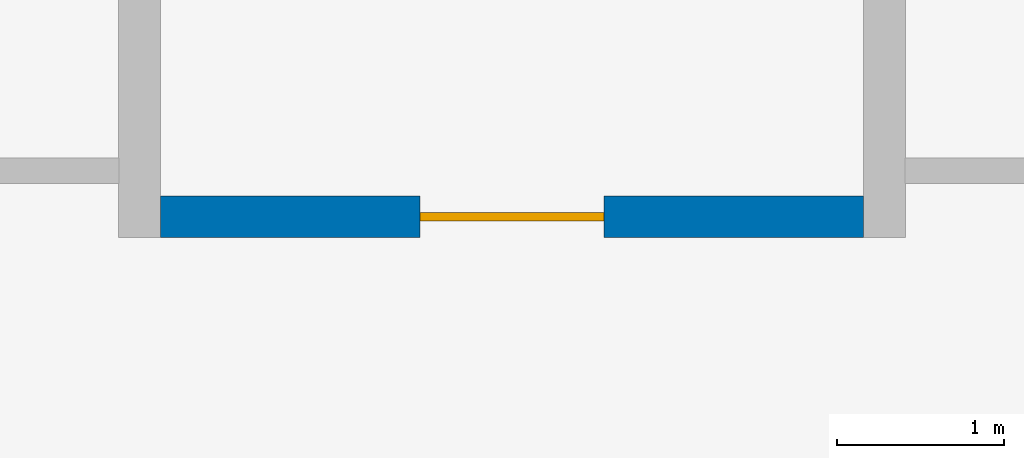
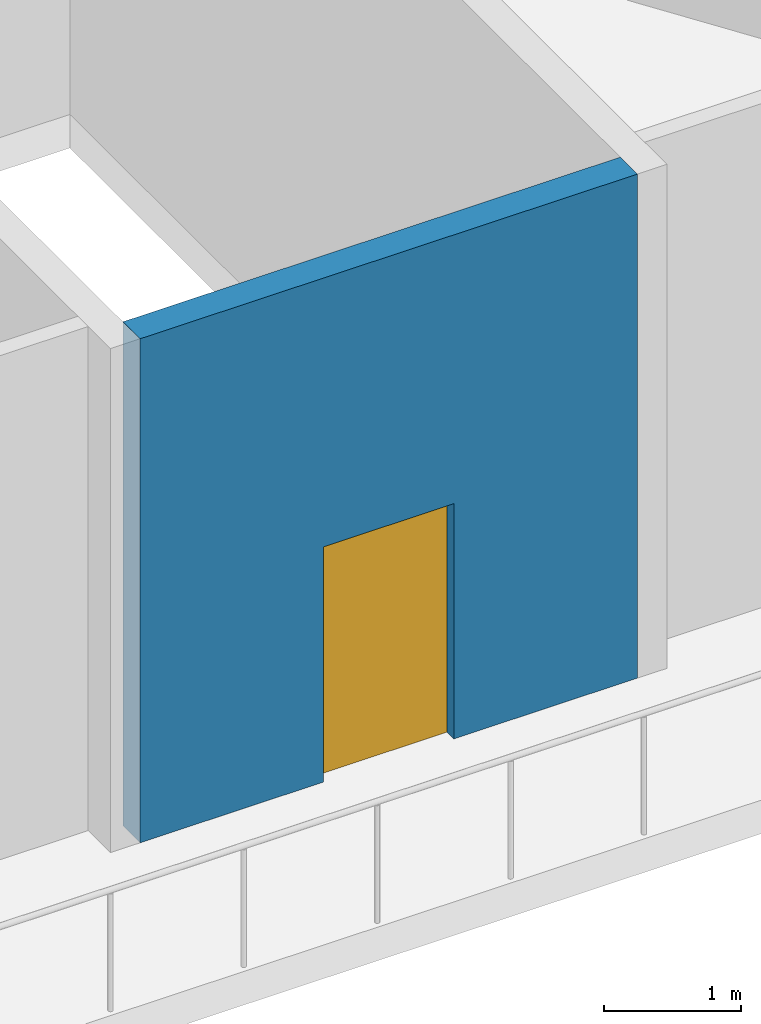
# One storey, part 63 of 93: 1 door, 1 wall, 1 opening.
"""IFC4 building model written with IfcOpenShell, lengths in metres."""

from ifc_helpers import new_model, si_unit, direction, frame, frame_2d, origin, place, context, subcontext, project, spatial, rectangle, extrude, material, layer, layer_set, type_object, element, fill, save


model = new_model("IFC4")

# Units and contexts
model_context = context("Model", 3, precision=1e-05, world=origin(), true_north=direction((0.0, 1.0)))
body_context = subcontext(model_context, "Body", "Model", "MODEL_VIEW")
ifc_project = project(units=[si_unit("LENGTHUNIT", "METRE"), si_unit("AREAUNIT", "SQUARE_METRE"), si_unit("VOLUMEUNIT", "CUBIC_METRE"), si_unit("PLANEANGLEUNIT", "RADIAN"), si_unit("MASSUNIT", "GRAM", prefix="KILO")], contexts=[model_context])

# Site, building, storey
site_placement = place(None, origin())
site = spatial("IfcSite", under=ifc_project, at=site_placement, CompositionType="ELEMENT")
building_placement = place(site_placement, origin())
building = spatial("IfcBuilding", under=site, at=building_placement, Name="Tide Square Theatres", CompositionType="ELEMENT")
storey_placement = place(building_placement, frame((0.0, 0.0, 5.39990234375)))
storey = spatial("IfcBuildingStorey", under=building, at=storey_placement, Name="L01", CompositionType="ELEMENT", Elevation=5.39990234375)

# Wall, opening, door
ifc_material_1 = material(Name="Concrete C40", Category="concrete")
ifc_layer = layer(ifc_material_1, 0.25)
ifc_layer_set = layer_set([ifc_layer], Name="Concrete C40")
wall_type = type_object("IfcWallType", Name="RC shear wall 250 thick", PredefinedType="SHEAR", material=ifc_layer_set)
wall_placement = place(storey_placement, frame((134.10009765625, 63.77490234375, 0.0), z_axis=(0.0, 0.0, 1.0), x_axis=(-1.0, 0.0, 0.0)))
wall = element("IfcWall", 1, at=wall_placement, inside=storey, type_object=wall_type, Name="Black Box Theatre Stair B1 shaft wall", PredefinedType="SHEAR", context=body_context, shape_type="SweptSolid", body=[
    extrude(rectangle(XDim=4.2001953125, YDim=0.25, at=frame_2d((2.10009765625, 0.0))), origin(), (0.0, 0.0, 1.0), 4.5),
])
opening_placement = place(wall_placement, frame((1.550048828125, 0.0, 0.0)))
opening = element("IfcOpeningElement", 2, at=opening_placement, cuts=wall, Name="Opening B01-16", PredefinedType="OPENING", context=body_context, shape_type="SweptSolid", body=[
    extrude(rectangle(XDim=1.10009765625, YDim=2.10009765625, at=frame_2d((0.550048828125, 1.050048828125))), frame((0.0, 0.135009765625, 0.0), z_axis=(0.0, -1.0, 0.0), x_axis=(1.0, 0.0, 0.0)), (0.0, 0.0, 1.0), 0.27001953125),
])
ifc_material_2 = material(Name="Painted steel", Category="steel")
door_type = type_object("IfcDoorType", Name="Door 1100 x 2100 single leaf", OperationType="NOTDEFINED", PredefinedType="DOOR", material=ifc_material_2)
door_placement = place(opening_placement, origin())
door = element("IfcDoor", 3, at=door_placement, inside=storey, type_object=door_type, Name="Black Box Theatre stair door", OperationType="SINGLE_SWING_RIGHT", OverallHeight=2.10009765625, OverallWidth=1.10009765625, PredefinedType="DOOR", context=body_context, shape_type="SweptSolid", body=[
    extrude(rectangle(XDim=1.10009765625, YDim=2.10009765625, at=frame_2d((0.550048828125, 1.050048828125))), frame((0.0, 0.02490234375, 0.0), z_axis=(0.0, -1.0, 0.0), x_axis=(1.0, 0.0, 0.0)), (0.0, 0.0, 1.0), 0.050048828125),
])
fill(opening, door)

save(model, "model.ifc")
